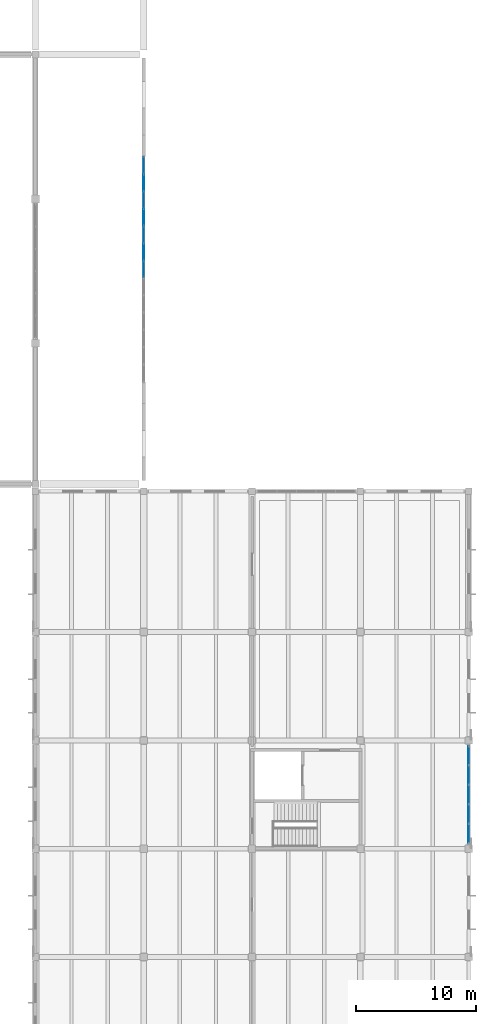
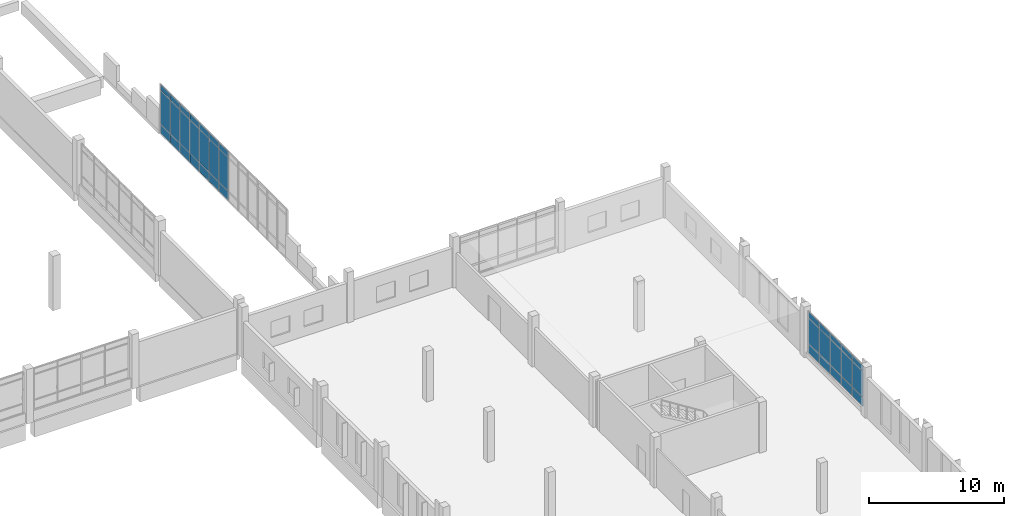
# One storey, part 31 of 63: 36 plates, 2 elements without a shape of their own.
"""IFC4 building model written with IfcOpenShell, lengths in metres."""

from ifc_helpers import new_model, si_unit, direction, frame, origin, origin_2d, place, context, subcontext, project, spatial, rectangle, extrude, material, layer, layer_set, type_object, element, aggregate, save


model = new_model("IFC4")

# Units and contexts
model_context = context("Model", 3, precision=1e-05, world=origin(), true_north=direction((0.0, 1.0)))
body_context = subcontext(model_context, "Body", "Model", "MODEL_VIEW")
ifc_project = project(units=[si_unit("LENGTHUNIT", "METRE"), si_unit("AREAUNIT", "SQUARE_METRE"), si_unit("VOLUMEUNIT", "CUBIC_METRE"), si_unit("PLANEANGLEUNIT", "RADIAN"), si_unit("MASSUNIT", "GRAM", prefix="KILO")], contexts=[model_context])

# Site, building, storey
site_placement = place(None, origin())
site = spatial("IfcSite", under=ifc_project, at=site_placement, CompositionType="ELEMENT")
building_placement = place(site_placement, origin())
building = spatial("IfcBuilding", under=site, at=building_placement, Name="Zacnel Wholesale Market", CompositionType="ELEMENT")
storey_placement = place(building_placement, frame((0.0, 0.0, 11.199951171875)))
storey = spatial("IfcBuildingStorey", under=building, at=storey_placement, Name="L03", CompositionType="ELEMENT", Elevation=11.199951171875)

# Curtain wall, plates
ifc_material_1 = material(Name="Anodised aluminium", Category="aluminium")
ifc_layer_1 = layer(ifc_material_1, 0.159912109375)
ifc_layer_set_1 = layer_set([ifc_layer_1], Name="Anodised aluminium")
curtain_wall_type_1 = type_object("IfcCurtainWallType", Name="CW-COURT-4500", PredefinedType="NOTDEFINED", material=ifc_layer_set_1)
curtain_wall_1_placement = place(storey_placement, origin())
curtain_wall_1 = element("IfcCurtainWall", 1, at=curtain_wall_1_placement, inside=storey, type_object=curtain_wall_type_1, Name="Curtain wall ENV-R2-CW-L03-051", PredefinedType="NOTDEFINED")
ifc_material_2 = material(Name="Laminated hurricane-impact low-E insulated glass", Category="glass")
ifc_layer_2 = layer(ifc_material_2, 0.028076171875)
ifc_layer_set_2 = layer_set([ifc_layer_2], Name="Laminated hurricane-impact low-E insulated glass")
plate_type_1 = type_object("IfcPlateType", Name="CWP-PNL-01", PredefinedType="CURTAIN_PANEL", material=ifc_layer_set_2)
plate_1_placement = place(storey_placement, frame((216.0, 67.260009765625, 1.330078125), z_axis=(0.0, 0.0, 1.0), x_axis=(0.0, 1.0, 0.0)))
plate_1 = element("IfcPlate", 2, at=plate_1_placement, type_object=plate_type_1, Name="ENV-R2-CW-L03-051 panel 1-2", PredefinedType="CURTAIN_PANEL", context=body_context, shape_type="SweptSolid", body=[
    extrude(rectangle(XDim=1.550048828125, YDim=0.028076171875, at=origin_2d()), origin(), (0.0, 0.0, 1.0), 2.2900390625),
])
plate_2_placement = place(storey_placement, frame((216.0, 68.8798828125, 1.330078125), z_axis=(0.0, 0.0, 1.0), x_axis=(0.0, 1.0, 0.0)))
plate_2 = element("IfcPlate", 3, at=plate_2_placement, type_object=plate_type_1, Name="ENV-R2-CW-L03-051 panel 2-2", PredefinedType="CURTAIN_PANEL", context=body_context, shape_type="SweptSolid", body=[
    extrude(rectangle(XDim=1.550048828125, YDim=0.028076171875, at=origin_2d()), origin(), (0.0, 0.0, 1.0), 2.2900390625),
])
plate_3_placement = place(storey_placement, frame((216.0, 70.5, 1.330078125), z_axis=(0.0, 0.0, 1.0), x_axis=(0.0, 1.0, 0.0)))
plate_3 = element("IfcPlate", 4, at=plate_3_placement, type_object=plate_type_1, Name="ENV-R2-CW-L03-051 panel 3-2", PredefinedType="CURTAIN_PANEL", context=body_context, shape_type="SweptSolid", body=[
    extrude(rectangle(XDim=1.550048828125, YDim=0.028076171875, at=origin_2d()), origin(), (0.0, 0.0, 1.0), 2.2900390625),
])
plate_4_placement = place(storey_placement, frame((216.0, 72.1201171875, 1.330078125), z_axis=(0.0, 0.0, 1.0), x_axis=(0.0, 1.0, 0.0)))
plate_4 = element("IfcPlate", 5, at=plate_4_placement, type_object=plate_type_1, Name="ENV-R2-CW-L03-051 panel 4-2", PredefinedType="CURTAIN_PANEL", context=body_context, shape_type="SweptSolid", body=[
    extrude(rectangle(XDim=1.550048828125, YDim=0.028076171875, at=origin_2d()), origin(), (0.0, 0.0, 1.0), 2.2900390625),
])
plate_5_placement = place(storey_placement, frame((216.0, 73.739990234375, 1.330078125), z_axis=(0.0, 0.0, 1.0), x_axis=(0.0, 1.0, 0.0)))
plate_5 = element("IfcPlate", 6, at=plate_5_placement, type_object=plate_type_1, Name="ENV-R2-CW-L03-051 panel 5-2", PredefinedType="CURTAIN_PANEL", context=body_context, shape_type="SweptSolid", body=[
    extrude(rectangle(XDim=1.550048828125, YDim=0.028076171875, at=origin_2d()), origin(), (0.0, 0.0, 1.0), 2.2900390625),
])

ifc_material_3 = material(Name="Anodised aluminium", Category="aluminium")
ifc_layer_3 = layer(ifc_material_3, 0.159912109375)
ifc_layer_set_3 = layer_set([ifc_layer_3], Name="Anodised aluminium")
curtain_wall_type_2 = type_object("IfcCurtainWallType", Name="CW-NAVE-4200", PredefinedType="NOTDEFINED", material=ifc_layer_set_3)
curtain_wall_2_placement = place(storey_placement, origin())
curtain_wall_2 = element("IfcCurtainWall", 7, at=curtain_wall_2_placement, inside=storey, type_object=curtain_wall_type_2, Name="Curtain wall ENV-CW-GABLE-NW-E", PredefinedType="NOTDEFINED")
ifc_material_4 = material(Name="Laminated hurricane-impact low-E insulated glass", Category="glass")
ifc_layer_4 = layer(ifc_material_4, 0.031982421875)
ifc_layer_set_4 = layer_set([ifc_layer_4], Name="Laminated hurricane-impact low-E insulated glass")
plate_type_2 = type_object("IfcPlateType", Name="CWP-PNL-02", PredefinedType="CURTAIN_PANEL", material=ifc_layer_set_4)
plate_6_placement = place(storey_placement, frame((189.0, 114.14990234375, 0.8798828125), z_axis=(0.0, 0.0, 1.0), x_axis=(0.0, 1.0, 0.0)))
plate_6 = element("IfcPlate", 8, at=plate_6_placement, type_object=plate_type_2, Name="ENV-CW-GABLE-NW-E panel 7-2", PredefinedType="CURTAIN_PANEL", context=body_context, shape_type="SweptSolid", body=[
    extrude(rectangle(XDim=1.368408203125, YDim=0.031982421875, at=origin_2d()), origin(), (0.0, 0.0, 1.0), 2.989990234375),
])
plate_7_placement = place(storey_placement, frame((189.0, 115.58837890625, 0.8798828125), z_axis=(0.0, 0.0, 1.0), x_axis=(0.0, 1.0, 0.0)))
plate_7 = element("IfcPlate", 9, at=plate_7_placement, type_object=plate_type_2, Name="ENV-CW-GABLE-NW-E panel 8-2", PredefinedType="CURTAIN_PANEL", context=body_context, shape_type="SweptSolid", body=[
    extrude(rectangle(XDim=1.368408203125, YDim=0.031982421875, at=origin_2d()), origin(), (0.0, 0.0, 1.0), 2.989990234375),
])
plate_8_placement = place(storey_placement, frame((189.0, 117.02685546875, 0.8798828125), z_axis=(0.0, 0.0, 1.0), x_axis=(0.0, 1.0, 0.0)))
plate_8 = element("IfcPlate", 10, at=plate_8_placement, type_object=plate_type_2, Name="ENV-CW-GABLE-NW-E panel 9-2", PredefinedType="CURTAIN_PANEL", context=body_context, shape_type="SweptSolid", body=[
    extrude(rectangle(XDim=1.368408203125, YDim=0.031982421875, at=origin_2d()), origin(), (0.0, 0.0, 1.0), 2.989990234375),
])
plate_9_placement = place(storey_placement, frame((189.0, 118.46533203125, 0.8798828125), z_axis=(0.0, 0.0, 1.0), x_axis=(0.0, 1.0, 0.0)))
plate_9 = element("IfcPlate", 11, at=plate_9_placement, type_object=plate_type_2, Name="ENV-CW-GABLE-NW-E panel 10-2", PredefinedType="CURTAIN_PANEL", context=body_context, shape_type="SweptSolid", body=[
    extrude(rectangle(XDim=1.368408203125, YDim=0.031982421875, at=origin_2d()), origin(), (0.0, 0.0, 1.0), 2.989990234375),
])
plate_10_placement = place(storey_placement, frame((189.0, 119.90380859375, 0.8798828125), z_axis=(0.0, 0.0, 1.0), x_axis=(0.0, 1.0, 0.0)))
plate_10 = element("IfcPlate", 12, at=plate_10_placement, type_object=plate_type_2, Name="ENV-CW-GABLE-NW-E panel 11-2", PredefinedType="CURTAIN_PANEL", context=body_context, shape_type="SweptSolid", body=[
    extrude(rectangle(XDim=1.368408203125, YDim=0.031982421875, at=origin_2d()), origin(), (0.0, 0.0, 1.0), 2.989990234375),
])
plate_11_placement = place(storey_placement, frame((189.0, 121.34228515625, 0.8798828125), z_axis=(0.0, 0.0, 1.0), x_axis=(0.0, 1.0, 0.0)))
plate_11 = element("IfcPlate", 13, at=plate_11_placement, type_object=plate_type_2, Name="ENV-CW-GABLE-NW-E panel 12-2", PredefinedType="CURTAIN_PANEL", context=body_context, shape_type="SweptSolid", body=[
    extrude(rectangle(XDim=1.368408203125, YDim=0.031982421875, at=origin_2d()), origin(), (0.0, 0.0, 1.0), 2.989990234375),
])
plate_12_placement = place(storey_placement, frame((189.0, 122.78076171875, 0.8798828125), z_axis=(0.0, 0.0, 1.0), x_axis=(0.0, 1.0, 0.0)))
plate_12 = element("IfcPlate", 14, at=plate_12_placement, type_object=plate_type_2, Name="ENV-CW-GABLE-NW-E panel 13-2", PredefinedType="CURTAIN_PANEL", context=body_context, shape_type="SweptSolid", body=[
    extrude(rectangle(XDim=1.368408203125, YDim=0.031982421875, at=origin_2d()), origin(), (0.0, 0.0, 1.0), 2.989990234375),
])

# Plate
ifc_material_5 = material(Name="Anodised aluminium", Category="aluminium")
ifc_layer_5 = layer(ifc_material_5, 0.0400390625)
ifc_layer_set_5 = layer_set([ifc_layer_5], Name="Anodised aluminium")
plate_type_3 = type_object("IfcPlateType", Name="CWP-PNL-05", PredefinedType="CURTAIN_PANEL", material=ifc_layer_set_5)
plate_13_placement = place(storey_placement, frame((216.0, 67.260009765625, 0.47998046875), z_axis=(0.0, 0.0, 1.0), x_axis=(0.0, 1.0, 0.0)))
plate_13 = element("IfcPlate", 15, at=plate_13_placement, type_object=plate_type_3, Name="ENV-R2-CW-L03-051 panel 1-1", PredefinedType="CURTAIN_PANEL", context=body_context, shape_type="SweptSolid", body=[
    extrude(rectangle(XDim=1.550048828125, YDim=0.0400390625, at=origin_2d()), origin(), (0.0, 0.0, 1.0), 0.7900390625),
])

plate_14_placement = place(storey_placement, frame((216.0, 67.260009765625, 3.68017578125), z_axis=(0.0, 0.0, 1.0), x_axis=(0.0, 1.0, 0.0)))
plate_14 = element("IfcPlate", 16, at=plate_14_placement, type_object=plate_type_3, Name="ENV-R2-CW-L03-051 panel 1-3", PredefinedType="CURTAIN_PANEL", context=body_context, shape_type="SweptSolid", body=[
    extrude(rectangle(XDim=1.550048828125, YDim=0.0400390625, at=origin_2d()), origin(), (0.0, 0.0, 1.0), 0.489990234375),
])

plate_15_placement = place(storey_placement, frame((216.0, 70.5, 0.47998046875), z_axis=(0.0, 0.0, 1.0), x_axis=(0.0, 1.0, 0.0)))
plate_15 = element("IfcPlate", 17, at=plate_15_placement, type_object=plate_type_3, Name="ENV-R2-CW-L03-051 panel 3-1", PredefinedType="CURTAIN_PANEL", context=body_context, shape_type="SweptSolid", body=[
    extrude(rectangle(XDim=1.550048828125, YDim=0.0400390625, at=origin_2d()), origin(), (0.0, 0.0, 1.0), 0.7900390625),
])

plate_16_placement = place(storey_placement, frame((216.0, 70.5, 3.68017578125), z_axis=(0.0, 0.0, 1.0), x_axis=(0.0, 1.0, 0.0)))
plate_16 = element("IfcPlate", 18, at=plate_16_placement, type_object=plate_type_3, Name="ENV-R2-CW-L03-051 panel 3-3", PredefinedType="CURTAIN_PANEL", context=body_context, shape_type="SweptSolid", body=[
    extrude(rectangle(XDim=1.550048828125, YDim=0.0400390625, at=origin_2d()), origin(), (0.0, 0.0, 1.0), 0.489990234375),
])

plate_17_placement = place(storey_placement, frame((216.0, 73.739990234375, 0.47998046875), z_axis=(0.0, 0.0, 1.0), x_axis=(0.0, 1.0, 0.0)))
plate_17 = element("IfcPlate", 19, at=plate_17_placement, type_object=plate_type_3, Name="ENV-R2-CW-L03-051 panel 5-1", PredefinedType="CURTAIN_PANEL", context=body_context, shape_type="SweptSolid", body=[
    extrude(rectangle(XDim=1.550048828125, YDim=0.0400390625, at=origin_2d()), origin(), (0.0, 0.0, 1.0), 0.7900390625),
])

plate_18_placement = place(storey_placement, frame((216.0, 73.739990234375, 3.68017578125), z_axis=(0.0, 0.0, 1.0), x_axis=(0.0, 1.0, 0.0)))
plate_18 = element("IfcPlate", 20, at=plate_18_placement, type_object=plate_type_3, Name="ENV-R2-CW-L03-051 panel 5-3", PredefinedType="CURTAIN_PANEL", context=body_context, shape_type="SweptSolid", body=[
    extrude(rectangle(XDim=1.550048828125, YDim=0.0400390625, at=origin_2d()), origin(), (0.0, 0.0, 1.0), 0.489990234375),
])

plate_19_placement = place(storey_placement, frame((189.0, 114.14990234375, 0.030029296875), z_axis=(0.0, 0.0, 1.0), x_axis=(0.0, 1.0, 0.0)))
plate_19 = element("IfcPlate", 21, at=plate_19_placement, type_object=plate_type_3, Name="ENV-CW-GABLE-NW-E panel 7-1", PredefinedType="CURTAIN_PANEL", context=body_context, shape_type="SweptSolid", body=[
    extrude(rectangle(XDim=1.368408203125, YDim=0.0400390625, at=origin_2d()), origin(), (0.0, 0.0, 1.0), 0.7900390625),
])

plate_20_placement = place(storey_placement, frame((189.0, 114.14990234375, 3.93017578125), z_axis=(0.0, 0.0, 1.0), x_axis=(0.0, 1.0, 0.0)))
plate_20 = element("IfcPlate", 22, at=plate_20_placement, type_object=plate_type_3, Name="ENV-CW-GABLE-NW-E panel 7-3", PredefinedType="CURTAIN_PANEL", context=body_context, shape_type="SweptSolid", body=[
    extrude(rectangle(XDim=1.368408203125, YDim=0.0400390625, at=origin_2d()), origin(), (0.0, 0.0, 1.0), 0.489990234375),
])

plate_21_placement = place(storey_placement, frame((189.0, 117.02685546875, 0.030029296875), z_axis=(0.0, 0.0, 1.0), x_axis=(0.0, 1.0, 0.0)))
plate_21 = element("IfcPlate", 23, at=plate_21_placement, type_object=plate_type_3, Name="ENV-CW-GABLE-NW-E panel 9-1", PredefinedType="CURTAIN_PANEL", context=body_context, shape_type="SweptSolid", body=[
    extrude(rectangle(XDim=1.368408203125, YDim=0.0400390625, at=origin_2d()), origin(), (0.0, 0.0, 1.0), 0.7900390625),
])

plate_22_placement = place(storey_placement, frame((189.0, 117.02685546875, 3.93017578125), z_axis=(0.0, 0.0, 1.0), x_axis=(0.0, 1.0, 0.0)))
plate_22 = element("IfcPlate", 24, at=plate_22_placement, type_object=plate_type_3, Name="ENV-CW-GABLE-NW-E panel 9-3", PredefinedType="CURTAIN_PANEL", context=body_context, shape_type="SweptSolid", body=[
    extrude(rectangle(XDim=1.368408203125, YDim=0.0400390625, at=origin_2d()), origin(), (0.0, 0.0, 1.0), 0.489990234375),
])

plate_23_placement = place(storey_placement, frame((189.0, 119.90380859375, 0.030029296875), z_axis=(0.0, 0.0, 1.0), x_axis=(0.0, 1.0, 0.0)))
plate_23 = element("IfcPlate", 25, at=plate_23_placement, type_object=plate_type_3, Name="ENV-CW-GABLE-NW-E panel 11-1", PredefinedType="CURTAIN_PANEL", context=body_context, shape_type="SweptSolid", body=[
    extrude(rectangle(XDim=1.368408203125, YDim=0.0400390625, at=origin_2d()), origin(), (0.0, 0.0, 1.0), 0.7900390625),
])

plate_24_placement = place(storey_placement, frame((189.0, 119.90380859375, 3.93017578125), z_axis=(0.0, 0.0, 1.0), x_axis=(0.0, 1.0, 0.0)))
plate_24 = element("IfcPlate", 26, at=plate_24_placement, type_object=plate_type_3, Name="ENV-CW-GABLE-NW-E panel 11-3", PredefinedType="CURTAIN_PANEL", context=body_context, shape_type="SweptSolid", body=[
    extrude(rectangle(XDim=1.368408203125, YDim=0.0400390625, at=origin_2d()), origin(), (0.0, 0.0, 1.0), 0.489990234375),
])

plate_25_placement = place(storey_placement, frame((189.0, 122.78076171875, 0.030029296875), z_axis=(0.0, 0.0, 1.0), x_axis=(0.0, 1.0, 0.0)))
plate_25 = element("IfcPlate", 27, at=plate_25_placement, type_object=plate_type_3, Name="ENV-CW-GABLE-NW-E panel 13-1", PredefinedType="CURTAIN_PANEL", context=body_context, shape_type="SweptSolid", body=[
    extrude(rectangle(XDim=1.368408203125, YDim=0.0400390625, at=origin_2d()), origin(), (0.0, 0.0, 1.0), 0.7900390625),
])

plate_26_placement = place(storey_placement, frame((189.0, 122.78076171875, 3.93017578125), z_axis=(0.0, 0.0, 1.0), x_axis=(0.0, 1.0, 0.0)))
plate_26 = element("IfcPlate", 28, at=plate_26_placement, type_object=plate_type_3, Name="ENV-CW-GABLE-NW-E panel 13-3", PredefinedType="CURTAIN_PANEL", context=body_context, shape_type="SweptSolid", body=[
    extrude(rectangle(XDim=1.368408203125, YDim=0.0400390625, at=origin_2d()), origin(), (0.0, 0.0, 1.0), 0.489990234375),
])

ifc_material_6 = material(Name="Honed Yucatan Maya cream limestone", Category="masonry")
ifc_layer_6 = layer(ifc_material_6, 0.044921875)
ifc_layer_set_6 = layer_set([ifc_layer_6], Name="Honed Yucatan Maya cream limestone")
plate_type_4 = type_object("IfcPlateType", Name="CWP-PNL-06", PredefinedType="CURTAIN_PANEL", material=ifc_layer_set_6)
plate_27_placement = place(storey_placement, frame((216.0, 68.8798828125, 0.47998046875), z_axis=(0.0, 0.0, 1.0), x_axis=(0.0, 1.0, 0.0)))
plate_27 = element("IfcPlate", 29, at=plate_27_placement, type_object=plate_type_4, Name="ENV-R2-CW-L03-051 panel 2-1", PredefinedType="CURTAIN_PANEL", context=body_context, shape_type="SweptSolid", body=[
    extrude(rectangle(XDim=1.550048828125, YDim=0.044921875, at=origin_2d()), origin(), (0.0, 0.0, 1.0), 0.7900390625),
])

plate_28_placement = place(storey_placement, frame((216.0, 68.8798828125, 3.68017578125), z_axis=(0.0, 0.0, 1.0), x_axis=(0.0, 1.0, 0.0)))
plate_28 = element("IfcPlate", 30, at=plate_28_placement, type_object=plate_type_4, Name="ENV-R2-CW-L03-051 panel 2-3", PredefinedType="CURTAIN_PANEL", context=body_context, shape_type="SweptSolid", body=[
    extrude(rectangle(XDim=1.550048828125, YDim=0.044921875, at=origin_2d()), origin(), (0.0, 0.0, 1.0), 0.489990234375),
])

plate_29_placement = place(storey_placement, frame((216.0, 72.1201171875, 0.47998046875), z_axis=(0.0, 0.0, 1.0), x_axis=(0.0, 1.0, 0.0)))
plate_29 = element("IfcPlate", 31, at=plate_29_placement, type_object=plate_type_4, Name="ENV-R2-CW-L03-051 panel 4-1", PredefinedType="CURTAIN_PANEL", context=body_context, shape_type="SweptSolid", body=[
    extrude(rectangle(XDim=1.550048828125, YDim=0.044921875, at=origin_2d()), origin(), (0.0, 0.0, 1.0), 0.7900390625),
])

plate_30_placement = place(storey_placement, frame((216.0, 72.1201171875, 3.68017578125), z_axis=(0.0, 0.0, 1.0), x_axis=(0.0, 1.0, 0.0)))
plate_30 = element("IfcPlate", 32, at=plate_30_placement, type_object=plate_type_4, Name="ENV-R2-CW-L03-051 panel 4-3", PredefinedType="CURTAIN_PANEL", context=body_context, shape_type="SweptSolid", body=[
    extrude(rectangle(XDim=1.550048828125, YDim=0.044921875, at=origin_2d()), origin(), (0.0, 0.0, 1.0), 0.489990234375),
])

aggregate(curtain_wall_1, [plate_13, plate_1, plate_14, plate_27, plate_2, plate_28, plate_15, plate_3, plate_16, plate_29, plate_4, plate_30, plate_17, plate_5, plate_18])

plate_31_placement = place(storey_placement, frame((189.0, 115.58837890625, 0.030029296875), z_axis=(0.0, 0.0, 1.0), x_axis=(0.0, 1.0, 0.0)))
plate_31 = element("IfcPlate", 33, at=plate_31_placement, type_object=plate_type_4, Name="ENV-CW-GABLE-NW-E panel 8-1", PredefinedType="CURTAIN_PANEL", context=body_context, shape_type="SweptSolid", body=[
    extrude(rectangle(XDim=1.368408203125, YDim=0.044921875, at=origin_2d()), origin(), (0.0, 0.0, 1.0), 0.7900390625),
])

plate_32_placement = place(storey_placement, frame((189.0, 115.58837890625, 3.93017578125), z_axis=(0.0, 0.0, 1.0), x_axis=(0.0, 1.0, 0.0)))
plate_32 = element("IfcPlate", 34, at=plate_32_placement, type_object=plate_type_4, Name="ENV-CW-GABLE-NW-E panel 8-3", PredefinedType="CURTAIN_PANEL", context=body_context, shape_type="SweptSolid", body=[
    extrude(rectangle(XDim=1.368408203125, YDim=0.044921875, at=origin_2d()), origin(), (0.0, 0.0, 1.0), 0.489990234375),
])

plate_33_placement = place(storey_placement, frame((189.0, 118.46533203125, 0.030029296875), z_axis=(0.0, 0.0, 1.0), x_axis=(0.0, 1.0, 0.0)))
plate_33 = element("IfcPlate", 35, at=plate_33_placement, type_object=plate_type_4, Name="ENV-CW-GABLE-NW-E panel 10-1", PredefinedType="CURTAIN_PANEL", context=body_context, shape_type="SweptSolid", body=[
    extrude(rectangle(XDim=1.368408203125, YDim=0.044921875, at=origin_2d()), origin(), (0.0, 0.0, 1.0), 0.7900390625),
])

plate_34_placement = place(storey_placement, frame((189.0, 118.46533203125, 3.93017578125), z_axis=(0.0, 0.0, 1.0), x_axis=(0.0, 1.0, 0.0)))
plate_34 = element("IfcPlate", 36, at=plate_34_placement, type_object=plate_type_4, Name="ENV-CW-GABLE-NW-E panel 10-3", PredefinedType="CURTAIN_PANEL", context=body_context, shape_type="SweptSolid", body=[
    extrude(rectangle(XDim=1.368408203125, YDim=0.044921875, at=origin_2d()), origin(), (0.0, 0.0, 1.0), 0.489990234375),
])

plate_35_placement = place(storey_placement, frame((189.0, 121.34228515625, 0.030029296875), z_axis=(0.0, 0.0, 1.0), x_axis=(0.0, 1.0, 0.0)))
plate_35 = element("IfcPlate", 37, at=plate_35_placement, type_object=plate_type_4, Name="ENV-CW-GABLE-NW-E panel 12-1", PredefinedType="CURTAIN_PANEL", context=body_context, shape_type="SweptSolid", body=[
    extrude(rectangle(XDim=1.368408203125, YDim=0.044921875, at=origin_2d()), origin(), (0.0, 0.0, 1.0), 0.7900390625),
])

plate_36_placement = place(storey_placement, frame((189.0, 121.34228515625, 3.93017578125), z_axis=(0.0, 0.0, 1.0), x_axis=(0.0, 1.0, 0.0)))
plate_36 = element("IfcPlate", 38, at=plate_36_placement, type_object=plate_type_4, Name="ENV-CW-GABLE-NW-E panel 12-3", PredefinedType="CURTAIN_PANEL", context=body_context, shape_type="SweptSolid", body=[
    extrude(rectangle(XDim=1.368408203125, YDim=0.044921875, at=origin_2d()), origin(), (0.0, 0.0, 1.0), 0.489990234375),
])

aggregate(curtain_wall_2, [plate_19, plate_6, plate_20, plate_31, plate_7, plate_32, plate_21, plate_8, plate_22, plate_33, plate_9, plate_34, plate_23, plate_10, plate_24, plate_35, plate_11, plate_36, plate_25, plate_12, plate_26])

save(model, "model.ifc")
